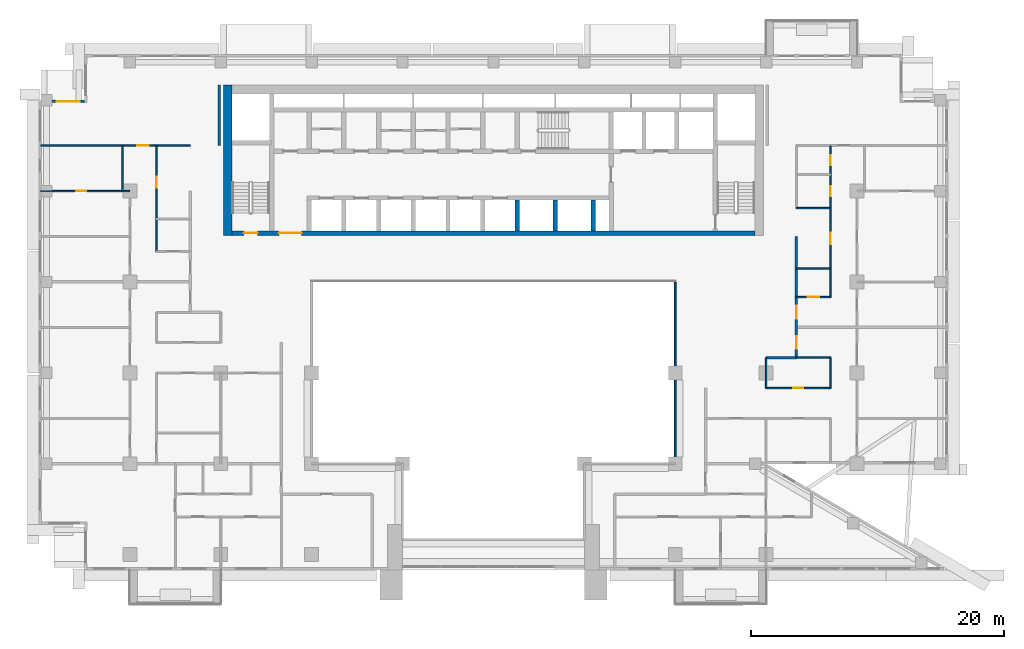
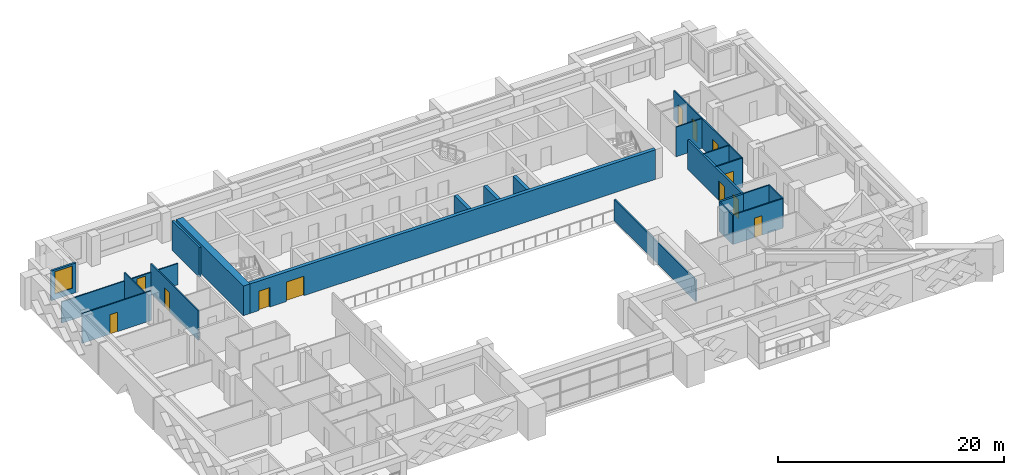
# One storey, part 9 of 19: 22 walls, 12 doors, 1 window, 13 openings.
"""IFC4 building model written with IfcOpenShell, lengths in metres."""

from ifc_helpers import new_model, si_unit, direction, frame, frame_2d, origin, place, context, subcontext, project, spatial, rectangle, extrude, material, layer, layer_set, type_object, element, fill, save


model = new_model("IFC4")

# Units and contexts
model_context = context("Model", 3, precision=1e-05, world=origin(), true_north=direction((0.0, 1.0)))
body_context = subcontext(model_context, "Body", "Model", "MODEL_VIEW")
ifc_project = project(units=[si_unit("LENGTHUNIT", "METRE"), si_unit("AREAUNIT", "SQUARE_METRE"), si_unit("VOLUMEUNIT", "CUBIC_METRE"), si_unit("PLANEANGLEUNIT", "RADIAN"), si_unit("MASSUNIT", "GRAM", prefix="KILO")], contexts=[model_context])

# Site, building, storey
site_placement = place(None, origin())
site = spatial("IfcSite", under=ifc_project, at=site_placement, CompositionType="ELEMENT")
building_placement = place(site_placement, origin())
building = spatial("IfcBuilding", under=site, at=building_placement, Name="Saffron Iwan Residences", CompositionType="ELEMENT")
storey_placement = place(building_placement, frame((0.0, 0.0, 116.5)))
storey = spatial("IfcBuildingStorey", under=building, at=storey_placement, Name="L30", CompositionType="ELEMENT", Elevation=116.5)

# Wall
ifc_material_1 = material(Name="Fire-rated glazing", Category="glass")
ifc_layer_1 = layer(ifc_material_1, 0.14990234375)
ifc_layer_set_1 = layer_set([ifc_layer_1], Name="Fire-rated glazing")
wall_type_1 = type_object("IfcWallType", Name="Atrium glazed screen 150", PredefinedType="SOLIDWALL", material=ifc_layer_set_1)
wall_1_placement = place(storey_placement, frame((64.800048828125, 48.0, 0.0), z_axis=(0.0, 0.0, 1.0), x_axis=(0.0, 1.0, 0.0)))
element("IfcWall", 1, at=wall_1_placement, inside=storey, type_object=wall_type_1, Name="W-L30-SCREEN-v64.8-48", PredefinedType="SOLIDWALL", context=body_context, shape_type="SweptSolid", body=[
    extrude(rectangle(XDim=14.39990234375, YDim=0.14990234375, at=frame_2d((7.199951171875, 0.0))), origin(), (0.0, 0.0, 1.0), 2.300048828125),
])

# Wall, opening, window
ifc_material_2 = material(Name="Concrete C40/50", Category="concrete")
ifc_layer_2 = layer(ifc_material_2, 0.199951171875)
ifc_layer_set_2 = layer_set([ifc_layer_2], Name="Concrete C40/50")
wall_type_2 = type_object("IfcWallType", Name="EXTERNAL WALL 200", PredefinedType="SOLIDWALL", material=ifc_layer_set_2)
wall_2_placement = place(storey_placement, frame((18.0, 76.699951171875, 0.0), z_axis=(0.0, 0.0, 1.0), x_axis=(-1.0, 0.0, 0.0)))
wall_2 = element("IfcWall", 2, at=wall_2_placement, inside=storey, type_object=wall_type_2, Name="External wall L30 F7.0", PredefinedType="SOLIDWALL", context=body_context, shape_type="SweptSolid", body=[
    extrude(rectangle(XDim=2.550048828125, YDim=0.199951171875, at=frame_2d((1.27490234375, 0.0))), origin(), (0.0, 0.0, 1.0), 3.199951171875),
])
opening_1_placement = place(wall_2_placement, frame((0.375, 0.0, 0.60009765625)))
opening_1 = element("IfcOpeningElement", 3, at=opening_1_placement, cuts=wall_2, Name="Opening W8", PredefinedType="OPENING", context=body_context, shape_type="SweptSolid", body=[
    extrude(rectangle(XDim=1.800048828125, YDim=2.39990234375, at=frame_2d((0.89990234375, 1.199951171875))), frame((0.0, 0.10986328125, 0.0), z_axis=(0.0, -1.0, 0.0), x_axis=(1.0, 0.0, 0.0)), (0.0, 0.0, 1.0), 0.219970703125),
])
ifc_material_3 = material(Name="Clear glass, laminated double glazed", Category="glass")
window_type = type_object("IfcWindowType", Name="WINDOW 1800 x 2400", PartitioningType="DOUBLE_PANEL_VERTICAL", PredefinedType="WINDOW", material=ifc_material_3)
window_placement = place(opening_1_placement, origin())
window = element("IfcWindow", 4, at=window_placement, inside=storey, type_object=window_type, Name="Window L30 F7.0", OverallHeight=2.39990234375, OverallWidth=1.800048828125, PartitioningType="DOUBLE_PANEL_VERTICAL", PredefinedType="WINDOW", context=body_context, shape_type="SweptSolid", body=[
    extrude(rectangle(XDim=1.800048828125, YDim=2.39990234375, at=frame_2d((0.89990234375, 1.199951171875))), frame((0.0, 0.030029296875, 0.0), z_axis=(0.0, -1.0, 0.0), x_axis=(1.0, 0.0, 0.0)), (0.0, 0.0, 1.0), 0.06005859375),
])
fill(opening_1, window)

# Wall, opening, door
ifc_material_4 = material(Name="Gypsum board partition")
ifc_layer_3 = layer(ifc_material_4, 0.1201171875)
ifc_layer_set_3 = layer_set([ifc_layer_3], Name="Gypsum board partition")
wall_type_3 = type_object("IfcWallType", Name="Flat partition 120", PredefinedType="PARTITIONING", material=ifc_layer_set_3)
wall_3_placement = place(storey_placement, frame((72.0, 54.0, 0.0), z_axis=(0.0, 0.0, 1.0), x_axis=(1.0, 0.0, 0.0)))
wall_3 = element("IfcWall", 5, at=wall_3_placement, inside=storey, type_object=wall_type_3, Name="W-L30-PART-h54-72", PredefinedType="PARTITIONING", context=body_context, shape_type="SweptSolid", body=[
    extrude(rectangle(XDim=5.10009765625, YDim=0.1201171875, at=frame_2d((2.550048828125, 0.0))), origin(), (0.0, 0.0, 1.0), 3.199951171875),
])
opening_2_placement = place(wall_3_placement, frame((2.14990234375, 0.0, 0.0)))
opening_2 = element("IfcOpeningElement", 6, at=opening_2_placement, cuts=wall_3, Name="Opening FD3", PredefinedType="OPENING", context=body_context, shape_type="SweptSolid", body=[
    extrude(rectangle(XDim=0.800048828125, YDim=2.10009765625, at=frame_2d((0.39990234375, 1.050048828125))), frame((0.0, 0.070068359375, 0.0), z_axis=(0.0, -1.0, 0.0), x_axis=(1.0, 0.0, 0.0)), (0.0, 0.0, 1.0), 0.14013671875),
])
ifc_material_5 = material(Name="Timber door", Category="wood")
door_type_1 = type_object("IfcDoorType", Name="Bathroom door 800", OperationType="NOTDEFINED", PredefinedType="DOOR", material=ifc_material_5)
door_1_placement = place(opening_2_placement, origin())
door_1 = element("IfcDoor", 7, at=door_1_placement, inside=storey, type_object=door_type_1, Name="Door L30-020", OperationType="SINGLE_SWING_LEFT", OverallHeight=2.10009765625, OverallWidth=0.800048828125, PredefinedType="DOOR", context=body_context, shape_type="SweptSolid", body=[
    extrude(rectangle(XDim=0.800048828125, YDim=2.10009765625, at=frame_2d((0.39990234375, 1.050048828125))), frame((0.0, 0.02490234375, 0.0), z_axis=(0.0, -1.0, 0.0), x_axis=(1.0, 0.0, 0.0)), (0.0, 0.0, 1.0), 0.050048828125),
])
fill(opening_2, door_1)

# Wall
wall_4_placement = place(storey_placement, frame((74.39990234375, 56.39990234375, 0.0), z_axis=(0.0, 0.0, 1.0), x_axis=(1.0, 0.0, 0.0)))
element("IfcWall", 8, at=wall_4_placement, inside=storey, type_object=wall_type_3, Name="W-L30-PART-h56.4-74.4", PredefinedType="PARTITIONING", context=body_context, shape_type="SweptSolid", body=[
    extrude(rectangle(XDim=2.7001953125, YDim=0.1201171875, at=frame_2d((1.35009765625, 0.0))), origin(), (0.0, 0.0, 1.0), 3.199951171875),
])

# Wall, opening, door
wall_5_placement = place(storey_placement, frame((74.39990234375, 61.199951171875, 0.0), z_axis=(0.0, 0.0, 1.0), x_axis=(1.0, 0.0, 0.0)))
wall_5 = element("IfcWall", 9, at=wall_5_placement, inside=storey, type_object=wall_type_3, Name="W-L30-PART-h61.2-74.4", PredefinedType="PARTITIONING", context=body_context, shape_type="SweptSolid", body=[
    extrude(rectangle(XDim=2.7001953125, YDim=0.1201171875, at=frame_2d((1.35009765625, 0.0))), origin(), (0.0, 0.0, 1.0), 3.199951171875),
])
opening_3_placement = place(wall_5_placement, frame((0.89990234375, 0.0, 0.0)))
opening_3 = element("IfcOpeningElement", 10, at=opening_3_placement, cuts=wall_5, Name="Opening FD2", PredefinedType="OPENING", context=body_context, shape_type="SweptSolid", body=[
    extrude(rectangle(XDim=0.89990234375, YDim=2.10009765625, at=frame_2d((0.449951171875, 1.050048828125))), frame((0.0, 0.070068359375, 0.0), z_axis=(0.0, -1.0, 0.0), x_axis=(1.0, 0.0, 0.0)), (0.0, 0.0, 1.0), 0.14013671875),
])
door_type_2 = type_object("IfcDoorType", Name="Flat door 900", OperationType="NOTDEFINED", PredefinedType="DOOR", material=ifc_material_5)
door_2_placement = place(opening_3_placement, origin())
door_2 = element("IfcDoor", 11, at=door_2_placement, inside=storey, type_object=door_type_2, Name="Door L30-034", OperationType="SINGLE_SWING_RIGHT", OverallHeight=2.10009765625, OverallWidth=0.89990234375, PredefinedType="DOOR", context=body_context, shape_type="SweptSolid", body=[
    extrude(rectangle(XDim=0.89990234375, YDim=2.10009765625, at=frame_2d((0.449951171875, 1.050048828125))), frame((0.0, 0.02490234375, 0.0), z_axis=(0.0, -1.0, 0.0), x_axis=(1.0, 0.0, 0.0)), (0.0, 0.0, 1.0), 0.050048828125),
])
fill(opening_3, door_2)

# Walls
for number, where, z_axis, x_axis, name in (
    (12, (74.39990234375, 63.449951171875, 0.0), (0.0, 0.0, 1.0), (1.0, 0.0, 0.0), "W-L30-PART-h63.45-74.4"),
    (13, (74.39990234375, 68.25, 0.0), (0.0, 0.0, 1.0), (1.0, 0.0, 0.0), "W-L30-PART-h68.25-74.4"),
):
    element("IfcWall", number, at=place(storey_placement, frame(where, z_axis=z_axis, x_axis=x_axis)), inside=storey, type_object=wall_type_3, Name=name, PredefinedType="PARTITIONING", context=body_context, shape_type="SweptSolid", body=[
        extrude(rectangle(XDim=2.7001953125, YDim=0.1201171875, at=frame_2d((1.35009765625, 0.0))), origin(), (0.0, 0.0, 1.0), 3.199951171875),
    ])

# Wall, opening, door
wall_6_placement = place(storey_placement, frame((14.52490234375, 69.60009765625, 0.0), z_axis=(0.0, 0.0, 1.0), x_axis=(1.0, 0.0, 0.0)))
wall_6 = element("IfcWall", 14, at=wall_6_placement, inside=storey, type_object=wall_type_3, Name="W-L30-PART-h69.6-14.525", PredefinedType="PARTITIONING", context=body_context, shape_type="SweptSolid", body=[
    extrude(rectangle(XDim=7.0751953125, YDim=0.1201171875, at=frame_2d((3.53759765625, 0.0))), origin(), (0.0, 0.0, 1.0), 3.199951171875),
])
opening_4_placement = place(wall_6_placement, frame((2.83740234375, 0.0, 0.0)))
opening_4 = element("IfcOpeningElement", 15, at=opening_4_placement, cuts=wall_6, Name="Opening FD3", PredefinedType="OPENING", context=body_context, shape_type="SweptSolid", body=[
    extrude(rectangle(XDim=0.800048828125, YDim=2.10009765625, at=frame_2d((0.39990234375, 1.050048828125))), frame((0.0, 0.070068359375, 0.0), z_axis=(0.0, -1.0, 0.0), x_axis=(1.0, 0.0, 0.0)), (0.0, 0.0, 1.0), 0.14013671875),
])
door_3_placement = place(opening_4_placement, origin())
door_3 = element("IfcDoor", 16, at=door_3_placement, inside=storey, type_object=door_type_1, Name="Door L30-025", OperationType="SINGLE_SWING_RIGHT", OverallHeight=2.10009765625, OverallWidth=0.800048828125, PredefinedType="DOOR", context=body_context, shape_type="SweptSolid", body=[
    extrude(rectangle(XDim=0.800048828125, YDim=2.10009765625, at=frame_2d((0.39990234375, 1.050048828125))), frame((0.0, 0.02490234375, 0.0), z_axis=(0.0, -1.0, 0.0), x_axis=(1.0, 0.0, 0.0)), (0.0, 0.0, 1.0), 0.050048828125),
])
fill(opening_4, door_3)

wall_7_placement = place(storey_placement, frame((14.52490234375, 73.199951171875, 0.0), z_axis=(0.0, 0.0, 1.0), x_axis=(1.0, 0.0, 0.0)))
wall_7 = element("IfcWall", 17, at=wall_7_placement, inside=storey, type_object=wall_type_3, Name="W-L30-PART-h73.2-14.525", PredefinedType="PARTITIONING", context=body_context, shape_type="SweptSolid", body=[
    extrude(rectangle(XDim=11.875, YDim=0.1201171875, at=frame_2d((5.9375, 0.0))), origin(), (0.0, 0.0, 1.0), 2.300048828125),
])
opening_5_placement = place(wall_7_placement, frame((7.675048828125, 0.0, 0.0)))
opening_5 = element("IfcOpeningElement", 18, at=opening_5_placement, cuts=wall_7, Name="Opening FD2", PredefinedType="OPENING", context=body_context, shape_type="SweptSolid", body=[
    extrude(rectangle(XDim=0.89990234375, YDim=2.10009765625, at=frame_2d((0.449951171875, 1.050048828125))), frame((0.0, 0.070068359375, 0.0), z_axis=(0.0, -1.0, 0.0), x_axis=(1.0, 0.0, 0.0)), (0.0, 0.0, 1.0), 0.14013671875),
])
door_4_placement = place(opening_5_placement, origin())
door_4 = element("IfcDoor", 19, at=door_4_placement, inside=storey, type_object=door_type_2, Name="Door L30-026", OperationType="SINGLE_SWING_LEFT", OverallHeight=2.10009765625, OverallWidth=0.89990234375, PredefinedType="DOOR", context=body_context, shape_type="SweptSolid", body=[
    extrude(rectangle(XDim=0.89990234375, YDim=2.10009765625, at=frame_2d((0.449951171875, 1.050048828125))), frame((0.0, 0.02490234375, 0.0), z_axis=(0.0, -1.0, 0.0), x_axis=(1.0, 0.0, 0.0)), (0.0, 0.0, 1.0), 0.050048828125),
])
fill(opening_5, door_4)

# Wall
wall_8_placement = place(storey_placement, frame((21.0, 69.60009765625, 0.0), z_axis=(0.0, 0.0, 1.0), x_axis=(0.0, 1.0, 0.0)))
element("IfcWall", 20, at=wall_8_placement, inside=storey, type_object=wall_type_3, Name="W-L30-PART-v21-69.6", PredefinedType="PARTITIONING", context=body_context, shape_type="SweptSolid", body=[
    extrude(rectangle(XDim=3.599853515625, YDim=0.1201171875, at=frame_2d((1.7998046875, 0.0))), origin(), (0.0, 0.0, 1.0), 3.199951171875),
])

# Wall, opening, door
wall_9_placement = place(storey_placement, frame((23.699951171875, 64.800048828125, 0.0), z_axis=(0.0, 0.0, 1.0), x_axis=(0.0, 1.0, 0.0)))
wall_9 = element("IfcWall", 21, at=wall_9_placement, inside=storey, type_object=wall_type_3, Name="W-L30-PART-v23.7-64.8", PredefinedType="PARTITIONING", context=body_context, shape_type="SweptSolid", body=[
    extrude(rectangle(XDim=8.39990234375, YDim=0.1201171875, at=frame_2d((4.199951171875, 0.0))), origin(), (0.0, 0.0, 1.0), 3.199951171875),
])
opening_6_placement = place(wall_9_placement, frame((5.050048828125, 0.0, 0.0)))
opening_6 = element("IfcOpeningElement", 22, at=opening_6_placement, cuts=wall_9, Name="Opening FD2", PredefinedType="OPENING", context=body_context, shape_type="SweptSolid", body=[
    extrude(rectangle(XDim=0.89990234375, YDim=2.10009765625, at=frame_2d((0.449951171875, 1.050048828125))), frame((0.0, 0.070068359375, 0.0), z_axis=(0.0, -1.0, 0.0), x_axis=(1.0, 0.0, 0.0)), (0.0, 0.0, 1.0), 0.14013671875),
])
door_5_placement = place(opening_6_placement, origin())
door_5 = element("IfcDoor", 23, at=door_5_placement, inside=storey, type_object=door_type_2, Name="Door L30-028", OperationType="SINGLE_SWING_RIGHT", OverallHeight=2.10009765625, OverallWidth=0.89990234375, PredefinedType="DOOR", context=body_context, shape_type="SweptSolid", body=[
    extrude(rectangle(XDim=0.89990234375, YDim=2.10009765625, at=frame_2d((0.449951171875, 1.050048828125))), frame((0.0, 0.02490234375, 0.0), z_axis=(0.0, -1.0, 0.0), x_axis=(1.0, 0.0, 0.0)), (0.0, 0.0, 1.0), 0.050048828125),
])
fill(opening_6, door_5)

# Walls
for number, where, z_axis, x_axis, name in (
    (24, (72.0, 54.0, 0.0), (0.0, 0.0, 1.0), (0.0, 1.0, 0.0), "W-L30-PART-v72-54"),
    (25, (77.10009765625, 54.0, 0.0), (0.0, 0.0, 1.0), (0.0, 1.0, 0.0), "W-L30-PART-v77.1-54"),
):
    element("IfcWall", number, at=place(storey_placement, frame(where, z_axis=z_axis, x_axis=x_axis)), inside=storey, type_object=wall_type_3, Name=name, PredefinedType="PARTITIONING", context=body_context, shape_type="SweptSolid", body=[
        extrude(rectangle(XDim=2.39990234375, YDim=0.1201171875, at=frame_2d((1.199951171875, 0.0))), origin(), (0.0, 0.0, 1.0), 3.199951171875),
    ])

# Wall, openings, doors
wall_10_placement = place(storey_placement, frame((77.10009765625, 61.199951171875, 0.0), z_axis=(0.0, 0.0, 1.0), x_axis=(0.0, 1.0, 0.0)))
wall_10 = element("IfcWall", 26, at=wall_10_placement, inside=storey, type_object=wall_type_3, Name="W-L30-PART-v77.1-61.2", PredefinedType="PARTITIONING", context=body_context, shape_type="SweptSolid", body=[
    extrude(rectangle(XDim=12.0, YDim=0.1201171875, at=frame_2d((6.0, 0.0))), origin(), (0.0, 0.0, 1.0), 3.199951171875),
])
opening_7_placement = place(wall_10_placement, frame((4.199951171875, 0.0, 0.0)))
opening_7 = element("IfcOpeningElement", 27, at=opening_7_placement, cuts=wall_10, Name="Opening FD2", PredefinedType="OPENING", context=body_context, shape_type="SweptSolid", body=[
    extrude(rectangle(XDim=0.89990234375, YDim=2.10009765625, at=frame_2d((0.449951171875, 1.050048828125))), frame((0.0, 0.070068359375, 0.0), z_axis=(0.0, -1.0, 0.0), x_axis=(1.0, 0.0, 0.0)), (0.0, 0.0, 1.0), 0.14013671875),
])
opening_8_placement = place(wall_10_placement, frame((7.97509765625, 0.0, 0.0)))
opening_8 = element("IfcOpeningElement", 28, at=opening_8_placement, cuts=wall_10, Name="Opening FD3", PredefinedType="OPENING", context=body_context, shape_type="SweptSolid", body=[
    extrude(rectangle(XDim=0.800048828125, YDim=2.10009765625, at=frame_2d((0.39990234375, 1.050048828125))), frame((0.0, 0.070068359375, 0.0), z_axis=(0.0, -1.0, 0.0), x_axis=(1.0, 0.0, 0.0)), (0.0, 0.0, 1.0), 0.14013671875),
])
opening_9_placement = place(wall_10_placement, frame((10.449951171875, 0.0, 0.0)))
opening_9 = element("IfcOpeningElement", 29, at=opening_9_placement, cuts=wall_10, Name="Opening FD3", PredefinedType="OPENING", context=body_context, shape_type="SweptSolid", body=[
    extrude(rectangle(XDim=0.800048828125, YDim=2.10009765625, at=frame_2d((0.39990234375, 1.050048828125))), frame((0.0, 0.070068359375, 0.0), z_axis=(0.0, -1.0, 0.0), x_axis=(1.0, 0.0, 0.0)), (0.0, 0.0, 1.0), 0.14013671875),
])
door_6_placement = place(opening_8_placement, origin())
door_6 = element("IfcDoor", 30, at=door_6_placement, inside=storey, type_object=door_type_1, Name="Door L30-036", OperationType="SINGLE_SWING_LEFT", OverallHeight=2.10009765625, OverallWidth=0.800048828125, PredefinedType="DOOR", context=body_context, shape_type="SweptSolid", body=[
    extrude(rectangle(XDim=0.800048828125, YDim=2.10009765625, at=frame_2d((0.39990234375, 1.050048828125))), frame((0.0, 0.02490234375, 0.0), z_axis=(0.0, -1.0, 0.0), x_axis=(1.0, 0.0, 0.0)), (0.0, 0.0, 1.0), 0.050048828125),
])
fill(opening_8, door_6)
door_7_placement = place(opening_9_placement, origin())
door_7 = element("IfcDoor", 31, at=door_7_placement, inside=storey, type_object=door_type_1, Name="Door L30-037", OperationType="SINGLE_SWING_RIGHT", OverallHeight=2.10009765625, OverallWidth=0.800048828125, PredefinedType="DOOR", context=body_context, shape_type="SweptSolid", body=[
    extrude(rectangle(XDim=0.800048828125, YDim=2.10009765625, at=frame_2d((0.39990234375, 1.050048828125))), frame((0.0, 0.02490234375, 0.0), z_axis=(0.0, -1.0, 0.0), x_axis=(1.0, 0.0, 0.0)), (0.0, 0.0, 1.0), 0.050048828125),
])
fill(opening_9, door_7)
door_8_placement = place(opening_7_placement, origin())
door_8 = element("IfcDoor", 32, at=door_8_placement, inside=storey, type_object=door_type_2, Name="Door L30-035", OperationType="SINGLE_SWING_LEFT", OverallHeight=2.10009765625, OverallWidth=0.89990234375, PredefinedType="DOOR", context=body_context, shape_type="SweptSolid", body=[
    extrude(rectangle(XDim=0.89990234375, YDim=2.10009765625, at=frame_2d((0.449951171875, 1.050048828125))), frame((0.0, 0.02490234375, 0.0), z_axis=(0.0, -1.0, 0.0), x_axis=(1.0, 0.0, 0.0)), (0.0, 0.0, 1.0), 0.050048828125),
])
fill(opening_7, door_8)

# Walls
ifc_material_6 = material(Name="Fire-rated gypsum board wall")
ifc_layer_4 = layer(ifc_material_6, 0.199951171875)
ifc_layer_set_4 = layer_set([ifc_layer_4], Name="Fire-rated gypsum board wall")
wall_type_4 = type_object("IfcWallType", Name="Gallery wall 200", PredefinedType="SOLIDWALL", material=ifc_layer_set_4)
wall_11_placement = place(storey_placement, frame((72.0, 56.39990234375, 0.0), z_axis=(0.0, 0.0, 1.0), x_axis=(1.0, 0.0, 0.0)))
element("IfcWall", 33, at=wall_11_placement, inside=storey, type_object=wall_type_4, Name="W-L30-CORR-h56.4-72", PredefinedType="SOLIDWALL", context=body_context, shape_type="SweptSolid", body=[
    extrude(rectangle(XDim=2.39990234375, YDim=0.199951171875, at=frame_2d((1.199951171875, 0.0))), origin(), (0.0, 0.0, 1.0), 3.199951171875),
])
wall_12_placement = place(storey_placement, frame((28.699951171875, 73.199951171875, 0.0), z_axis=(0.0, 0.0, 1.0), x_axis=(0.0, 1.0, 0.0)))
element("IfcWall", 34, at=wall_12_placement, inside=storey, type_object=wall_type_4, Name="W-L30-CORR-v28.8-73.2", PredefinedType="SOLIDWALL", context=body_context, shape_type="SweptSolid", body=[
    extrude(rectangle(XDim=4.800048828125, YDim=0.199951171875, at=frame_2d((2.39990234375, 0.0))), origin(), (0.0, 0.0, 1.0), 3.199951171875),
])

# Wall, openings, doors
wall_13_placement = place(storey_placement, frame((74.39990234375, 56.39990234375, 0.0), z_axis=(0.0, 0.0, 1.0), x_axis=(0.0, 1.0, 0.0)))
wall_13 = element("IfcWall", 35, at=wall_13_placement, inside=storey, type_object=wall_type_4, Name="W-L30-CORR-v74.4-56.4", PredefinedType="SOLIDWALL", context=body_context, shape_type="SweptSolid", body=[
    extrude(rectangle(XDim=9.60009765625, YDim=0.199951171875, at=frame_2d((4.800048828125, 0.0))), origin(), (0.0, 0.0, 1.0), 3.199951171875),
])
opening_10_placement = place(wall_13_placement, frame((0.699951171875, 0.0, 0.0)))
opening_10 = element("IfcOpeningElement", 36, at=opening_10_placement, cuts=wall_13, Name="Opening FD1", PredefinedType="OPENING", context=body_context, shape_type="SweptSolid", body=[
    extrude(rectangle(XDim=1.0, YDim=2.10009765625, at=frame_2d((0.5, 1.050048828125))), frame((0.0, 0.10986328125, 0.0), z_axis=(0.0, -1.0, 0.0), x_axis=(1.0, 0.0, 0.0)), (0.0, 0.0, 1.0), 0.219970703125),
])
opening_11_placement = place(wall_13_placement, frame((3.10009765625, 0.0, 0.0)))
opening_11 = element("IfcOpeningElement", 37, at=opening_11_placement, cuts=wall_13, Name="Opening FD1", PredefinedType="OPENING", context=body_context, shape_type="SweptSolid", body=[
    extrude(rectangle(XDim=1.0, YDim=2.10009765625, at=frame_2d((0.5, 1.050048828125))), frame((0.0, 0.10986328125, 0.0), z_axis=(0.0, -1.0, 0.0), x_axis=(1.0, 0.0, 0.0)), (0.0, 0.0, 1.0), 0.219970703125),
])
ifc_material_7 = material(Name="Fire-rated timber door", Category="wood")
door_type_3 = type_object("IfcDoorType", Name="FD30S flat entrance door 1000", OperationType="NOTDEFINED", PredefinedType="DOOR", material=ifc_material_7)
door_9_placement = place(opening_10_placement, origin())
door_9 = element("IfcDoor", 38, at=door_9_placement, inside=storey, type_object=door_type_3, Name="Door L30-016", OperationType="SINGLE_SWING_RIGHT", OverallHeight=2.10009765625, OverallWidth=1.0, PredefinedType="DOOR", context=body_context, shape_type="SweptSolid", body=[
    extrude(rectangle(XDim=1.0, YDim=2.10009765625, at=frame_2d((0.5, 1.050048828125))), frame((0.0, 0.02490234375, 0.0), z_axis=(0.0, -1.0, 0.0), x_axis=(1.0, 0.0, 0.0)), (0.0, 0.0, 1.0), 0.050048828125),
])
fill(opening_10, door_9)
door_10_placement = place(opening_11_placement, origin())
door_10 = element("IfcDoor", 39, at=door_10_placement, inside=storey, type_object=door_type_3, Name="Door L30-029", OperationType="SINGLE_SWING_LEFT", OverallHeight=2.10009765625, OverallWidth=1.0, PredefinedType="DOOR", context=body_context, shape_type="SweptSolid", body=[
    extrude(rectangle(XDim=1.0, YDim=2.10009765625, at=frame_2d((0.5, 1.050048828125))), frame((0.0, 0.02490234375, 0.0), z_axis=(0.0, -1.0, 0.0), x_axis=(1.0, 0.0, 0.0)), (0.0, 0.0, 1.0), 0.050048828125),
])
fill(opening_11, door_10)

ifc_material_8 = material(Name="Concrete C50/60", Category="concrete")
ifc_layer_5 = layer(ifc_material_8, 0.35009765625)
ifc_layer_set_5 = layer_set([ifc_layer_5], Name="Concrete C50/60")
wall_type_5 = type_object("IfcWallType", Name="WALL CORE 350 C50/60 3200 HIGH", PredefinedType="SHEAR", material=ifc_layer_set_5)
wall_14_placement = place(storey_placement, frame((29.699951171875, 66.27490234375, 0.0), z_axis=(0.0, 0.0, 1.0), x_axis=(1.0, 0.0, 0.0)))
wall_14 = element("IfcWall", 40, at=wall_14_placement, inside=storey, type_object=wall_type_5, Name="Core wall", PredefinedType="SHEAR", context=body_context, shape_type="SweptSolid", body=[
    extrude(rectangle(XDim=41.400146484375, YDim=0.35009765625, at=frame_2d((20.7001953125, 0.0))), origin(), (0.0, 0.0, 1.0), 3.199951171875),
])
opening_12_placement = place(wall_14_placement, frame((0.925048828125, 0.0, 0.0)))
opening_12 = element("IfcOpeningElement", 41, at=opening_12_placement, cuts=wall_14, Name="Opening SD", PredefinedType="OPENING", context=body_context, shape_type="SweptSolid", body=[
    extrude(rectangle(XDim=1.10009765625, YDim=2.10009765625, at=frame_2d((0.550048828125, 1.050048828125))), frame((0.0, 0.18505859375, 0.0), z_axis=(0.0, -1.0, 0.0), x_axis=(1.0, 0.0, 0.0)), (0.0, 0.0, 1.0), 0.3701171875),
])
opening_13_placement = place(wall_14_placement, frame((3.71240234375, 0.0, 0.0)))
opening_13 = element("IfcOpeningElement", 42, at=opening_13_placement, cuts=wall_14, Name="Opening DD", PredefinedType="OPENING", context=body_context, shape_type="SweptSolid", body=[
    extrude(rectangle(XDim=1.800048828125, YDim=2.10009765625, at=frame_2d((0.89990234375, 1.050048828125))), frame((0.0, 0.18505859375, 0.0), z_axis=(0.0, -1.0, 0.0), x_axis=(1.0, 0.0, 0.0)), (0.0, 0.0, 1.0), 0.3701171875),
])
ifc_material_9 = material(Name="Steel fire door", Category="steel")
door_type_4 = type_object("IfcDoorType", Name="Lobby double door 1800", OperationType="DOUBLE_DOOR_SINGLE_SWING", PredefinedType="DOOR", material=ifc_material_9)
door_11_placement = place(opening_13_placement, origin())
door_11 = element("IfcDoor", 43, at=door_11_placement, inside=storey, type_object=door_type_4, Name="Lobby doors", OperationType="DOUBLE_DOOR_SINGLE_SWING", OverallHeight=2.10009765625, OverallWidth=1.800048828125, PredefinedType="DOOR", context=body_context, shape_type="SweptSolid", body=[
    extrude(rectangle(XDim=1.800048828125, YDim=2.10009765625, at=frame_2d((0.89990234375, 1.050048828125))), frame((0.0, 0.02490234375, 0.0), z_axis=(0.0, -1.0, 0.0), x_axis=(1.0, 0.0, 0.0)), (0.0, 0.0, 1.0), 0.050048828125),
])
fill(opening_13, door_11)
door_type_5 = type_object("IfcDoorType", Name="Stair door 1100", OperationType="NOTDEFINED", PredefinedType="DOOR", material=ifc_material_9)
door_12_placement = place(opening_12_placement, origin())
door_12 = element("IfcDoor", 44, at=door_12_placement, inside=storey, type_object=door_type_5, Name="Stair door ST-W", OperationType="SINGLE_SWING_LEFT", OverallHeight=2.10009765625, OverallWidth=1.10009765625, PredefinedType="DOOR", context=body_context, shape_type="SweptSolid", body=[
    extrude(rectangle(XDim=1.10009765625, YDim=2.10009765625, at=frame_2d((0.550048828125, 1.050048828125))), frame((0.0, 0.02490234375, 0.0), z_axis=(0.0, -1.0, 0.0), x_axis=(1.0, 0.0, 0.0)), (0.0, 0.0, 1.0), 0.050048828125),
])
fill(opening_12, door_12)

# Walls
for number, where, z_axis, x_axis, name in (
    (45, (52.300048828125, 66.449951171875, 0.0), (0.0, 0.0, 1.0), (0.0, 1.0, 0.0), "Core wall"),
    (46, (55.300048828125, 66.449951171875, 0.0), (0.0, 0.0, 1.0), (0.0, 1.0, 0.0), "Core wall"),
    (47, (58.300048828125, 66.449951171875, 0.0), (0.0, 0.0, 1.0), (0.0, 1.0, 0.0), "Core wall"),
):
    element("IfcWall", number, at=place(storey_placement, frame(where, z_axis=z_axis, x_axis=x_axis)), inside=storey, type_object=wall_type_5, Name=name, PredefinedType="SHEAR", context=body_context, shape_type="SweptSolid", body=[
        extrude(rectangle(XDim=2.425048828125, YDim=0.35009765625, at=frame_2d((1.21240234375, 0.0))), origin(), (0.0, 0.0, 1.0), 3.199951171875),
    ])
ifc_layer_6 = layer(ifc_material_8, 0.699951171875)
ifc_layer_set_6 = layer_set([ifc_layer_6], Name="Concrete C50/60")
wall_type_6 = type_object("IfcWallType", Name="WALL CORE 700 C50/60 3200 HIGH", PredefinedType="SHEAR", material=ifc_layer_set_6)
wall_15_placement = place(storey_placement, frame((29.35009765625, 66.10009765625, 0.0), z_axis=(0.0, 0.0, 1.0), x_axis=(0.0, 1.0, 0.0)))
element("IfcWall", 48, at=wall_15_placement, inside=storey, type_object=wall_type_6, Name="Core wall", PredefinedType="SHEAR", context=body_context, shape_type="SweptSolid", body=[
    extrude(rectangle(XDim=11.89990234375, YDim=0.699951171875, at=frame_2d((5.949951171875, 0.0))), origin(), (0.0, 0.0, 1.0), 3.199951171875),
])

save(model, "model.ifc")
